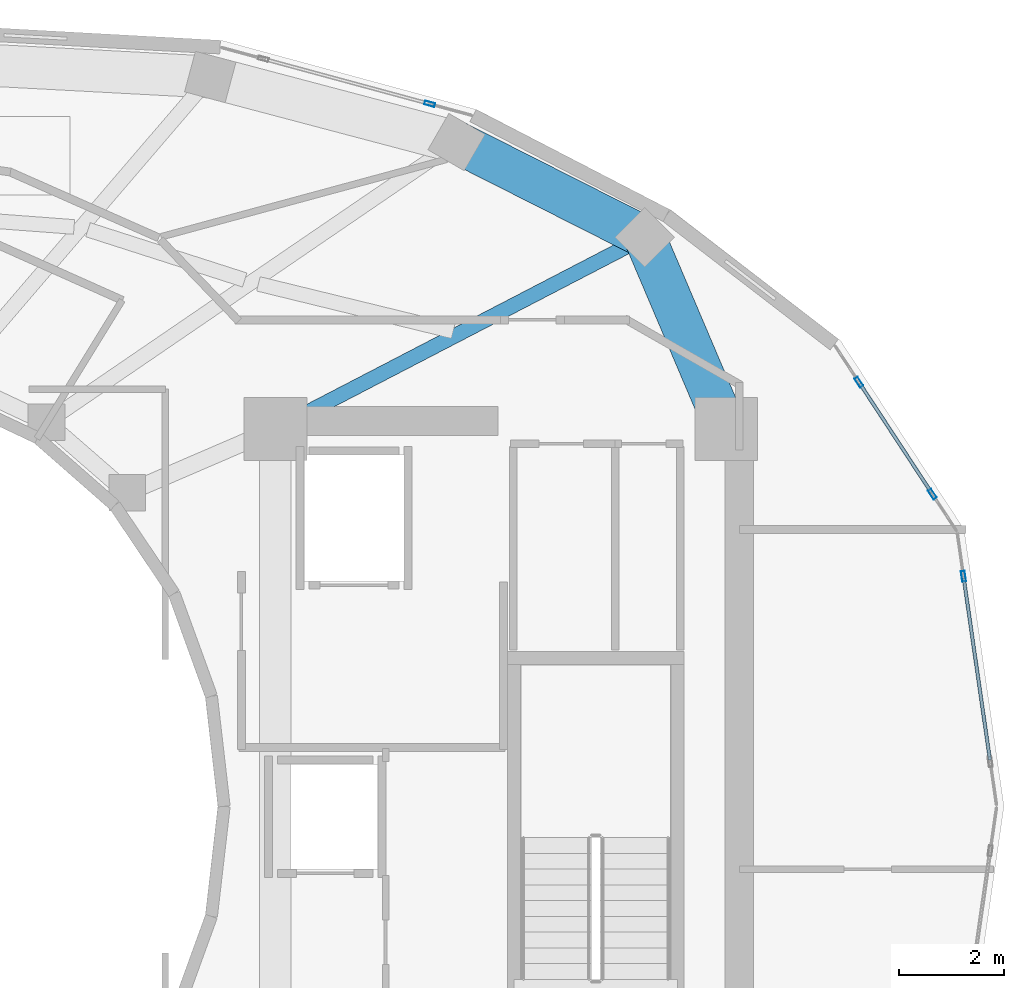
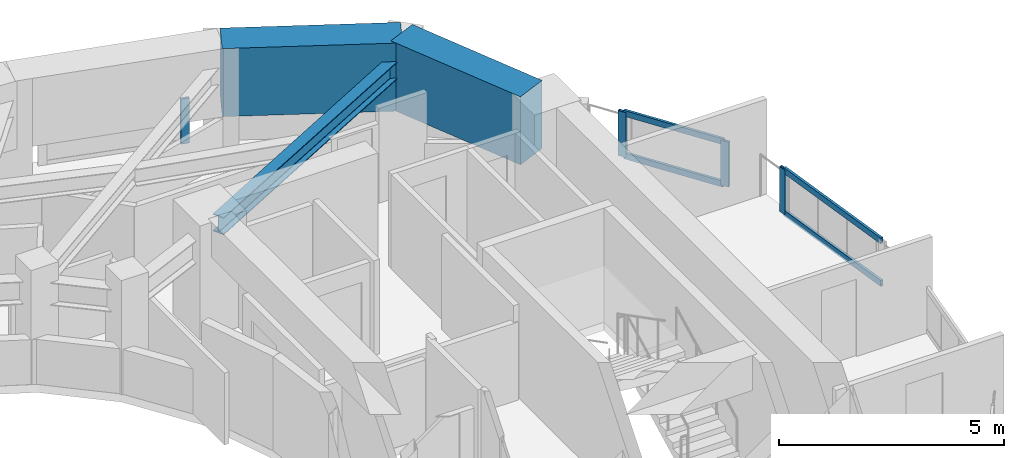
# One storey, part 10 of 19: 8 members, 3 beams, 3 elements without a shape of their own.
"""IFC4 building model written with IfcOpenShell, lengths in metres."""

from ifc_helpers import new_model, si_unit, direction, frame, origin, origin_2d, place, context, subcontext, project, spatial, rectangle, hollow_rectangle, i_section, extrude, material, layer, layer_set, material_profile, profile_set, type_object, element, aggregate, save


model = new_model("IFC4")

# Units and contexts
model_context = context("Model", 3, precision=1e-05, world=origin(), true_north=direction((0.0, 1.0)))
body_context = subcontext(model_context, "Body", "Model", "MODEL_VIEW")
ifc_project = project(units=[si_unit("LENGTHUNIT", "METRE"), si_unit("AREAUNIT", "SQUARE_METRE"), si_unit("VOLUMEUNIT", "CUBIC_METRE"), si_unit("PLANEANGLEUNIT", "RADIAN"), si_unit("MASSUNIT", "GRAM", prefix="KILO")], contexts=[model_context])

# Site, building, storey
site_placement = place(None, origin())
site = spatial("IfcSite", under=ifc_project, at=site_placement, CompositionType="ELEMENT")
building_placement = place(site_placement, origin())
building = spatial("IfcBuilding", under=site, at=building_placement, Name="Solvane Sanctuary Tower", CompositionType="ELEMENT")
storey_placement = place(building_placement, frame((0.0, 0.0, 207.800048828125)))
storey = spatial("IfcBuildingStorey", under=building, at=storey_placement, Name="L63", CompositionType="ELEMENT", Elevation=207.800048828125)

# Beams
ifc_material_1 = material(Name="Steel ASTM A992 Grade 50", Category="steel")
ifc_material_profile_1 = material_profile(ifc_material_1, i_section(OverallWidth=0.282958984375, OverallDepth=0.471923828125, WebThickness=0.013671875, FlangeThickness=0.022216796875, FilletRadius=0.013916015625, at=origin_2d()), Name="W18X97")
ifc_profile_set_1 = profile_set([ifc_material_profile_1], Name="Steel ASTM A992 Grade 50")
beam_type_1 = type_object("IfcBeamType", Name="Beam B-RAD-Z4 W18X97", PredefinedType="JOIST", material=ifc_profile_set_1)
beam_1_placement = place(storey_placement, frame((40.41943359375, 30.365966796875, 2.362060546875), z_axis=(0.887553429209, 0.460704797348, 0.0), x_axis=(-0.460704797348, 0.887553429209, 0.0)))
element("IfcBeam", 1, at=beam_1_placement, inside=storey, type_object=beam_type_1, Name="L63 Radial Composite Floor Beam 01", PredefinedType="JOIST", context=body_context, shape_type="SweptSolid", body=[
    extrude(i_section(OverallWidth=0.282958984375, OverallDepth=0.471923828125, WebThickness=0.013671875, FlangeThickness=0.022216796875, FilletRadius=0.013916015625, at=origin_2d()), origin(), (0.0, 0.0, 1.0), 7.297607421875),
])
ifc_material_2 = material(Name="Concrete C70/85", Category="concrete")
ifc_material_profile_2 = material_profile(ifc_material_2, rectangle(XDim=0.800048828125, YDim=1.85009765625, at=origin_2d()), Name="RC800X1850")
ifc_profile_set_2 = profile_set([ifc_material_profile_2], Name="Concrete C70/85")
beam_type_2 = type_object("IfcBeamType", Name="Beam B-XFER-BLK RC800X1850", PredefinedType="BEAM", material=ifc_profile_set_2)
beam_2_placement = place(storey_placement, frame((43.55517578125, 35.672607421875, 2.175048828125), z_axis=(0.892354283523, -0.451335609804, 0.0), x_axis=(0.451335609804, 0.892354283523, 0.0)))
element("IfcBeam", 2, at=beam_2_placement, inside=storey, type_object=beam_type_2, Name="L63 Perimeter Step Transfer Ring NTC02-NTC01", PredefinedType="BEAM", context=body_context, shape_type="SweptSolid", body=[
    extrude(rectangle(XDim=0.800048828125, YDim=1.85009765625, at=origin_2d()), origin(), (0.0, 0.0, 1.0), 4.02294921875),
])
beam_3_placement = place(storey_placement, frame((47.14501953125, 33.85693359375, 2.175048828125), z_axis=(0.391292272536, -0.920266460029, 0.0), x_axis=(0.920266460029, 0.391292272536, 0.0)))
element("IfcBeam", 3, at=beam_3_placement, inside=storey, type_object=beam_type_2, Name="L63 Perimeter Step Transfer Ring NTC01-CE3", PredefinedType="BEAM", context=body_context, shape_type="SweptSolid", body=[
    extrude(rectangle(XDim=0.800048828125, YDim=1.85009765625, at=origin_2d()), origin(), (0.0, 0.0, 1.0), 3.61376953125),
])

# Curtain wall, member
ifc_material_3 = material(Name="Anodised Aluminium 6063-T6", Category="aluminium")
ifc_layer_1 = layer(ifc_material_3, 0.2099609375, Name="Anodised Aluminium 6063-T6")
ifc_layer_set_1 = layer_set([ifc_layer_1], Name="Anodised Aluminium 6063-T6")
curtain_wall_type_1 = type_object("IfcCurtainWallType", Name="Curtain Wall CW-PORTAL", PredefinedType="NOTDEFINED", material=ifc_layer_set_1)
curtain_wall_1_placement = place(storey_placement, origin())
curtain_wall_1 = element("IfcCurtainWall", 4, at=curtain_wall_1_placement, inside=storey, type_object=curtain_wall_type_1, Name="L63 CW-PORTAL Facade Run 00", PredefinedType="NOTDEFINED")
ifc_material_profile_3 = material_profile(ifc_material_3, hollow_rectangle(XDim=0.074951171875, YDim=0.199951171875, WallThickness=0.00390625, at=origin_2d()), Name="ALU200X75X4")
ifc_profile_set_3 = profile_set([ifc_material_profile_3], Name="Anodised Aluminium 6063-T6")
member_type_1 = type_object("IfcMemberType", Name="Member M-CW-MUL-1 ALU200X75X4", PredefinedType="MULLION", material=ifc_profile_set_3)
member_1_placement = place(storey_placement, frame((53.22705078125, 27.39013671875, 0.0), z_axis=(0.0, 0.0, 1.0), x_axis=(-0.989765249591, -0.142705117998, 0.0)))
member_1 = element("IfcMember", 5, at=member_1_placement, type_object=member_type_1, Name="CW-PORTAL mullion 2", PredefinedType="MULLION", context=body_context, shape_type="SweptSolid", body=[
    extrude(hollow_rectangle(XDim=0.074951171875, YDim=0.199951171875, WallThickness=0.00390625, at=origin_2d()), origin(), (0.0, 0.0, 1.0), 1.219970703125),
])

# Curtain wall, members
curtain_wall_2_placement = place(storey_placement, origin())
curtain_wall_2 = element("IfcCurtainWall", 6, at=curtain_wall_2_placement, inside=storey, type_object=curtain_wall_type_1, Name="L63 CW-PORTAL Facade Run 01", PredefinedType="NOTDEFINED")
member_2_placement = place(storey_placement, frame((52.634033203125, 28.95556640625, 0.0), z_axis=(0.0, 0.0, 1.0), x_axis=(-0.83595908826, -0.548791766298, 0.0)))
member_2 = element("IfcMember", 7, at=member_2_placement, type_object=member_type_1, Name="CW-PORTAL mullion 1", PredefinedType="MULLION", context=body_context, shape_type="SweptSolid", body=[
    extrude(hollow_rectangle(XDim=0.074951171875, YDim=0.199951171875, WallThickness=0.00390625, at=origin_2d()), origin(), (0.0, 0.0, 1.0), 1.219970703125),
])
member_3_placement = place(storey_placement, frame((51.2314453125, 31.09228515625, 0.0), z_axis=(0.0, 0.0, 1.0), x_axis=(-0.83595908826, -0.548791766298, 0.0)))
member_3 = element("IfcMember", 8, at=member_3_placement, type_object=member_type_1, Name="CW-PORTAL mullion 2", PredefinedType="MULLION", context=body_context, shape_type="SweptSolid", body=[
    extrude(hollow_rectangle(XDim=0.074951171875, YDim=0.199951171875, WallThickness=0.00390625, at=origin_2d()), origin(), (0.0, 0.0, 1.0), 1.219970703125),
])

# Curtain wall, member
ifc_layer_2 = layer(ifc_material_3, 0.18994140625, Name="Anodised Aluminium 6063-T6")
ifc_layer_set_2 = layer_set([ifc_layer_2], Name="Anodised Aluminium 6063-T6")
curtain_wall_type_2 = type_object("IfcCurtainWallType", Name="Curtain Wall CW-OPER", PredefinedType="NOTDEFINED", material=ifc_layer_set_2)
curtain_wall_3_placement = place(storey_placement, origin())
curtain_wall_3 = element("IfcCurtainWall", 9, at=curtain_wall_3_placement, inside=storey, type_object=curtain_wall_type_2, Name="L63 CW-OPER Facade Run 04", PredefinedType="NOTDEFINED")
member_4_placement = place(storey_placement, frame((43.04248046875, 36.4013671875, 0.0), z_axis=(0.0, 0.0, 1.0), x_axis=(-0.261468027073, -0.965212137728, 0.0)))
member_4 = element("IfcMember", 10, at=member_4_placement, type_object=member_type_1, Name="CW-OPER mullion 1", PredefinedType="MULLION", context=body_context, shape_type="SweptSolid", body=[
    extrude(hollow_rectangle(XDim=0.074951171875, YDim=0.199951171875, WallThickness=0.00390625, at=origin_2d()), origin(), (0.0, 0.0, 1.0), 1.219970703125),
])
aggregate(curtain_wall_3, [member_4])

# Member
ifc_material_profile_4 = material_profile(ifc_material_3, hollow_rectangle(XDim=0.06494140625, YDim=0.159912109375, WallThickness=0.00341796875, at=origin_2d()), Name="ALU160X65X3.5")
ifc_profile_set_4 = profile_set([ifc_material_profile_4], Name="Anodised Aluminium 6063-T6")
member_type_2 = type_object("IfcMemberType", Name="Member M-CW-TRN-1 ALU160X65X3.5", PredefinedType="USERDEFINED", material=ifc_profile_set_4)
member_5_placement = place(storey_placement, frame((53.732177734375, 23.8857421875, 0.032470703125), z_axis=(-0.142660376615, 0.989771699406, 0.0), x_axis=(-0.989771699406, -0.142660376615, 0.0)))
member_5 = element("IfcMember", 11, at=member_5_placement, type_object=member_type_2, Name="CW-PORTAL transom 1.1", ObjectType="TRANSOM", PredefinedType="USERDEFINED", context=body_context, shape_type="SweptSolid", body=[
    extrude(hollow_rectangle(XDim=0.06494140625, YDim=0.159912109375, WallThickness=0.00341796875, at=origin_2d()), origin(), (0.0, 0.0, 1.0), 3.503173828125),
])

member_6_placement = place(storey_placement, frame((53.732177734375, 23.8857421875, 1.1875), z_axis=(-0.142660376615, 0.989771699406, 0.0), x_axis=(-0.989771699406, -0.142660376615, 0.0)))
member_6 = element("IfcMember", 12, at=member_6_placement, type_object=member_type_2, Name="CW-PORTAL transom 1.2", ObjectType="TRANSOM", PredefinedType="USERDEFINED", context=body_context, shape_type="SweptSolid", body=[
    extrude(hollow_rectangle(XDim=0.06494140625, YDim=0.159912109375, WallThickness=0.00341796875, at=origin_2d()), origin(), (0.0, 0.0, 1.0), 3.503173828125),
])

aggregate(curtain_wall_1, [member_1, member_5, member_6])

member_7_placement = place(storey_placement, frame((52.613525390625, 28.987060546875, 0.032470703125), z_axis=(-0.5488498942, 0.835920925469, 0.0), x_axis=(-0.835920925469, -0.5488498942, 0.0)))
member_7 = element("IfcMember", 13, at=member_7_placement, type_object=member_type_2, Name="CW-PORTAL transom 1.1", ObjectType="TRANSOM", PredefinedType="USERDEFINED", context=body_context, shape_type="SweptSolid", body=[
    extrude(hollow_rectangle(XDim=0.06494140625, YDim=0.159912109375, WallThickness=0.00341796875, at=origin_2d()), origin(), (0.0, 0.0, 1.0), 2.480712890625),
])

member_8_placement = place(storey_placement, frame((52.613525390625, 28.987060546875, 1.1875), z_axis=(-0.5488498942, 0.835920925469, 0.0), x_axis=(-0.835920925469, -0.5488498942, 0.0)))
member_8 = element("IfcMember", 14, at=member_8_placement, type_object=member_type_2, Name="CW-PORTAL transom 1.2", ObjectType="TRANSOM", PredefinedType="USERDEFINED", context=body_context, shape_type="SweptSolid", body=[
    extrude(hollow_rectangle(XDim=0.06494140625, YDim=0.159912109375, WallThickness=0.00341796875, at=origin_2d()), origin(), (0.0, 0.0, 1.0), 2.480712890625),
])

aggregate(curtain_wall_2, [member_2, member_3, member_7, member_8])

save(model, "model.ifc")
